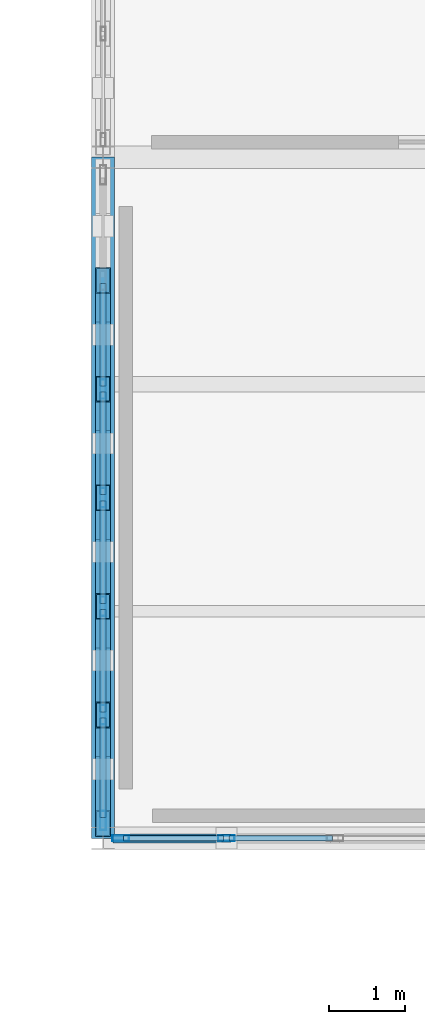
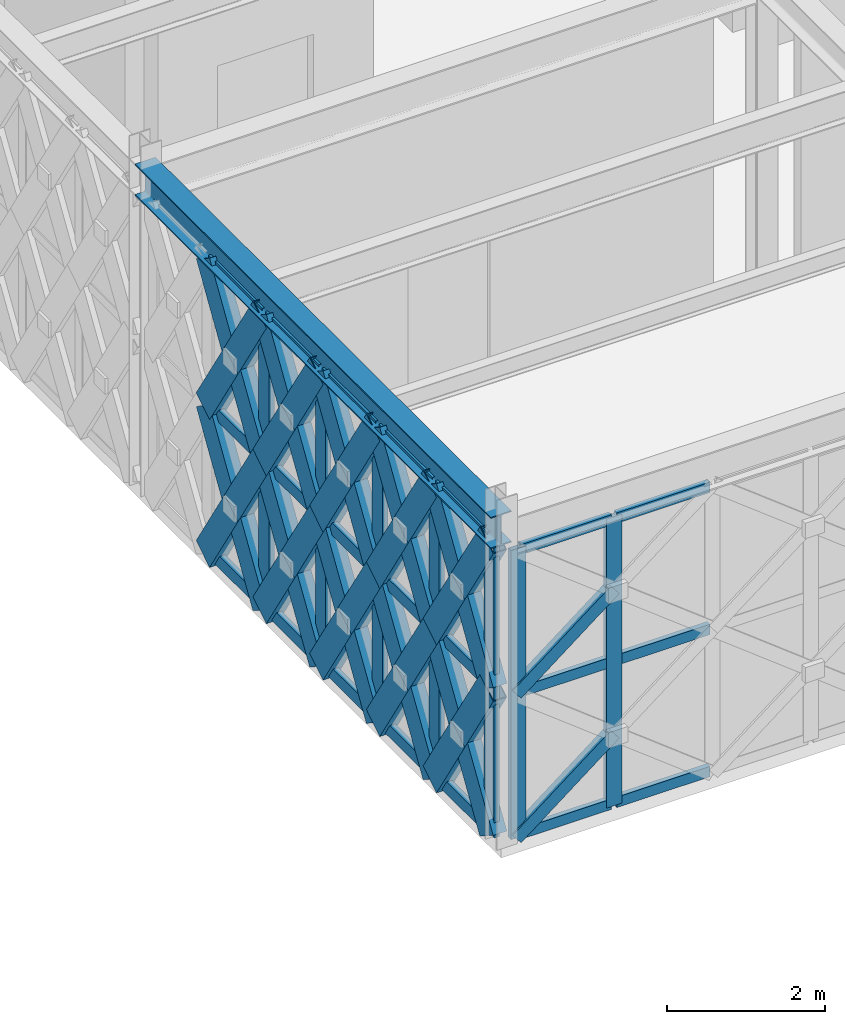
# One storey, part 77 of 155: 60 members, 1 beam, 2 elements without a shape of their own.
"""IFC4 building model written with IfcOpenShell, lengths in metres."""

from ifc_helpers import new_model, si_unit, direction, frame, origin, origin_2d, place, context, subcontext, project, spatial, hollow_rectangle, i_section, extrude, material, material_profile, profile_set, type_object, element, aggregate, save


model = new_model("IFC4")

# Units and contexts
model_context = context("Model", 3, precision=1e-05, world=origin(), true_north=direction((0.0, 1.0)))
body_context = subcontext(model_context, "Body", "Model", "MODEL_VIEW")
ifc_project = project(units=[si_unit("LENGTHUNIT", "METRE"), si_unit("AREAUNIT", "SQUARE_METRE"), si_unit("VOLUMEUNIT", "CUBIC_METRE"), si_unit("PLANEANGLEUNIT", "RADIAN"), si_unit("MASSUNIT", "GRAM", prefix="KILO")], contexts=[model_context])

# Site, building, storey
site_placement = place(None, origin())
site = spatial("IfcSite", under=ifc_project, at=site_placement, CompositionType="ELEMENT")
building_placement = place(site_placement, origin())
building = spatial("IfcBuilding", under=site, at=building_placement, Name="Haizhuo Lancet Aquarium", CompositionType="ELEMENT")
storey_placement = place(building_placement, frame((0.0, 0.0, 10.800048828125)))
storey = spatial("IfcBuildingStorey", under=building, at=storey_placement, Name="L02", CompositionType="ELEMENT", Elevation=10.800048828125)

# Beam
ifc_material_1 = material(Name="Steel S355", Category="steel")
ifc_material_profile_1 = material_profile(ifc_material_1, i_section(OverallWidth=0.300048828125, OverallDepth=0.488037109375, WebThickness=0.010986328125, FlangeThickness=0.01806640625, FilletRadius=0.02392578125, at=origin_2d()), Name="HM 488x300x11x18")
ifc_profile_set_1 = profile_set([ifc_material_profile_1], Name="Steel S355")
beam_type = type_object("IfcBeamType", Name="BM-ST-HM488", PredefinedType="BEAM", material=ifc_profile_set_1)
beam_placement = place(storey_placement, frame((36.0, 9.0, 4.805908203125), z_axis=(0.0, 1.0, 0.0), x_axis=(-1.0, 0.0, 0.0)))
element("IfcBeam", 1, at=beam_placement, inside=storey, type_object=beam_type, Name="L02 V7 primary girder BM-L02-V7-001", PredefinedType="BEAM", context=body_context, shape_type="SweptSolid", body=[
    extrude(i_section(OverallWidth=0.300048828125, OverallDepth=0.488037109375, WebThickness=0.010986328125, FlangeThickness=0.01806640625, FilletRadius=0.02392578125, at=origin_2d()), origin(), (0.0, 0.0, 1.0), 9.0),
])

# Curtain wall, members
ifc_material_2 = material(Name="Aluminium 6063-T6", Category="aluminium")
curtain_wall_type_1 = type_object("IfcCurtainWallType", Name="CWO-8610x4460", PredefinedType="NOTDEFINED", material=ifc_material_2)
curtain_wall_1_placement = place(storey_placement, origin())
curtain_wall_1 = element("IfcCurtainWall", 2, at=curtain_wall_1_placement, inside=storey, type_object=curtain_wall_type_1, Name="L02 curtain wall CW-V7-L02-308", PredefinedType="NOTDEFINED")
ifc_material_profile_2 = material_profile(ifc_material_2, hollow_rectangle(XDim=0.074951171875, YDim=0.219970703125, WallThickness=0.0048828125, at=origin_2d()), Name="ALU-M 75x220x5")
ifc_profile_set_2 = profile_set([ifc_material_profile_2], Name="Aluminium 6063-T6")
member_type_1 = type_object("IfcMemberType", Name="CW-MUL-2", PredefinedType="MULLION", material=ifc_profile_set_2)
member_1_placement = place(storey_placement, frame((37.6298828125, 9.0, 0.0), z_axis=(0.0, 0.0, 1.0), x_axis=(0.0, -1.0, 0.0)))
member_1 = element("IfcMember", 3, at=member_1_placement, type_object=member_type_1, Name="CWO-86x44 mullion 6", PredefinedType="MULLION", context=body_context, shape_type="SweptSolid", body=[
    extrude(hollow_rectangle(XDim=0.074951171875, YDim=0.219970703125, WallThickness=0.0048828125, at=origin_2d()), origin(), (0.0, 0.0, 1.0), 4.4619140625),
])
member_2_placement = place(storey_placement, frame((36.23291015625, 9.0, 0.0), z_axis=(0.0, 0.0, 1.0), x_axis=(0.0, -1.0, 0.0)))
member_2 = element("IfcMember", 4, at=member_2_placement, type_object=member_type_1, Name="CWO-86x44 mullion 7", PredefinedType="MULLION", context=body_context, shape_type="SweptSolid", body=[
    extrude(hollow_rectangle(XDim=0.074951171875, YDim=0.219970703125, WallThickness=0.0048828125, at=origin_2d()), origin(), (0.0, 0.0, 1.0), 4.4619140625),
])

curtain_wall_type_2 = type_object("IfcCurtainWallType", Name="CWD-8610x4560", PredefinedType="NOTDEFINED", material=ifc_material_2)
curtain_wall_2_placement = place(storey_placement, origin())
curtain_wall_2 = element("IfcCurtainWall", 5, at=curtain_wall_2_placement, inside=storey, type_object=curtain_wall_type_2, Name="L02 curtain wall CW-V7-L02-309", PredefinedType="NOTDEFINED")
ifc_material_profile_3 = material_profile(ifc_material_2, hollow_rectangle(XDim=0.080078125, YDim=0.260009765625, WallThickness=0.0048828125, at=origin_2d()), Name="ALU-M 80x260x5")
ifc_profile_set_3 = profile_set([ifc_material_profile_3], Name="Aluminium 6063-T6")
member_type_2 = type_object("IfcMemberType", Name="CW-MUL-3", PredefinedType="MULLION", material=ifc_profile_set_3)
member_3_placement = place(storey_placement, frame((36.0, 9.235107421875, 0.0), z_axis=(0.0, 0.0, 1.0), x_axis=(-1.0, 0.0, 0.0)))
member_3 = element("IfcMember", 6, at=member_3_placement, type_object=member_type_2, Name="CWD-86x45 mullion 1", PredefinedType="MULLION", context=body_context, shape_type="SweptSolid", body=[
    extrude(hollow_rectangle(XDim=0.080078125, YDim=0.260009765625, WallThickness=0.0048828125, at=origin_2d()), origin(), (0.0, 0.0, 1.0), 4.56201171875),
])
member_4_placement = place(storey_placement, frame((36.0, 10.6298828125, 0.0), z_axis=(0.0, 0.0, 1.0), x_axis=(-1.0, 0.0, 0.0)))
member_4 = element("IfcMember", 7, at=member_4_placement, type_object=member_type_2, Name="CWD-86x45 mullion 2", PredefinedType="MULLION", context=body_context, shape_type="SweptSolid", body=[
    extrude(hollow_rectangle(XDim=0.080078125, YDim=0.260009765625, WallThickness=0.0048828125, at=origin_2d()), origin(), (0.0, 0.0, 1.0), 4.56201171875),
])
member_5_placement = place(storey_placement, frame((36.0, 12.06494140625, 0.0), z_axis=(0.0, 0.0, 1.0), x_axis=(-1.0, 0.0, 0.0)))
member_5 = element("IfcMember", 8, at=member_5_placement, type_object=member_type_2, Name="CWD-86x45 mullion 3", PredefinedType="MULLION", context=body_context, shape_type="SweptSolid", body=[
    extrude(hollow_rectangle(XDim=0.080078125, YDim=0.260009765625, WallThickness=0.0048828125, at=origin_2d()), origin(), (0.0, 0.0, 1.0), 4.56201171875),
])
member_6_placement = place(storey_placement, frame((36.0, 13.5, 0.0), z_axis=(0.0, 0.0, 1.0), x_axis=(-1.0, 0.0, 0.0)))
member_6 = element("IfcMember", 9, at=member_6_placement, type_object=member_type_2, Name="CWD-86x45 mullion 4", PredefinedType="MULLION", context=body_context, shape_type="SweptSolid", body=[
    extrude(hollow_rectangle(XDim=0.080078125, YDim=0.260009765625, WallThickness=0.0048828125, at=origin_2d()), origin(), (0.0, 0.0, 1.0), 4.56201171875),
])
member_7_placement = place(storey_placement, frame((36.0, 14.93505859375, 0.0), z_axis=(0.0, 0.0, 1.0), x_axis=(-1.0, 0.0, 0.0)))
member_7 = element("IfcMember", 10, at=member_7_placement, type_object=member_type_2, Name="CWD-86x45 mullion 5", PredefinedType="MULLION", context=body_context, shape_type="SweptSolid", body=[
    extrude(hollow_rectangle(XDim=0.080078125, YDim=0.260009765625, WallThickness=0.0048828125, at=origin_2d()), origin(), (0.0, 0.0, 1.0), 4.56201171875),
])

# Member
ifc_material_profile_4 = material_profile(ifc_material_2, hollow_rectangle(XDim=0.074951171875, YDim=0.159912109375, WallThickness=0.00390625, at=origin_2d()), Name="ALU-T 75x160x4")
ifc_profile_set_4 = profile_set([ifc_material_profile_4], Name="Aluminium 6063-T6")
member_type_3 = type_object("IfcMemberType", Name="CW-TRN-2", PredefinedType="NOTDEFINED", material=ifc_profile_set_4)
member_8_placement = place(storey_placement, frame((39.028076171875, 9.0, 0.037841796875), z_axis=(-1.0, 0.0, 0.0), x_axis=(0.0, -1.0, 0.0)))
member_8 = element("IfcMember", 11, at=member_8_placement, type_object=member_type_3, Name="CWO-86x44 transom 5.1", ObjectType="TRANSOM", PredefinedType="USERDEFINED", context=body_context, shape_type="SweptSolid", body=[
    extrude(hollow_rectangle(XDim=0.074951171875, YDim=0.159912109375, WallThickness=0.00390625, at=origin_2d()), origin(), (0.0, 0.0, 1.0), 1.360107421875),
])

member_9_placement = place(storey_placement, frame((39.028076171875, 9.0, 2.23095703125), z_axis=(-1.0, 0.0, 0.0), x_axis=(0.0, -1.0, 0.0)))
member_9 = element("IfcMember", 12, at=member_9_placement, type_object=member_type_3, Name="CWO-86x44 transom 5.2", ObjectType="TRANSOM", PredefinedType="USERDEFINED", context=body_context, shape_type="SweptSolid", body=[
    extrude(hollow_rectangle(XDim=0.074951171875, YDim=0.159912109375, WallThickness=0.00390625, at=origin_2d()), origin(), (0.0, 0.0, 1.0), 1.360107421875),
])

member_10_placement = place(storey_placement, frame((39.028076171875, 9.0, 4.425048828125), z_axis=(-1.0, 0.0, 0.0), x_axis=(0.0, -1.0, 0.0)))
member_10 = element("IfcMember", 13, at=member_10_placement, type_object=member_type_3, Name="CWO-86x44 transom 5.3", ObjectType="TRANSOM", PredefinedType="USERDEFINED", context=body_context, shape_type="SweptSolid", body=[
    extrude(hollow_rectangle(XDim=0.074951171875, YDim=0.159912109375, WallThickness=0.00390625, at=origin_2d()), origin(), (0.0, 0.0, 1.0), 1.360107421875),
])

member_11_placement = place(storey_placement, frame((37.593017578125, 9.0, 0.037841796875), z_axis=(-1.0, 0.0, 0.0), x_axis=(0.0, -1.0, 0.0)))
member_11 = element("IfcMember", 14, at=member_11_placement, type_object=member_type_3, Name="CWO-86x44 transom 6.1", ObjectType="TRANSOM", PredefinedType="USERDEFINED", context=body_context, shape_type="SweptSolid", body=[
    extrude(hollow_rectangle(XDim=0.074951171875, YDim=0.159912109375, WallThickness=0.00390625, at=origin_2d()), origin(), (0.0, 0.0, 1.0), 1.322998046875),
])

member_12_placement = place(storey_placement, frame((37.593017578125, 9.0, 2.23095703125), z_axis=(-1.0, 0.0, 0.0), x_axis=(0.0, -1.0, 0.0)))
member_12 = element("IfcMember", 15, at=member_12_placement, type_object=member_type_3, Name="CWO-86x44 transom 6.2", ObjectType="TRANSOM", PredefinedType="USERDEFINED", context=body_context, shape_type="SweptSolid", body=[
    extrude(hollow_rectangle(XDim=0.074951171875, YDim=0.159912109375, WallThickness=0.00390625, at=origin_2d()), origin(), (0.0, 0.0, 1.0), 1.322998046875),
])

member_13_placement = place(storey_placement, frame((37.593017578125, 9.0, 4.425048828125), z_axis=(-1.0, 0.0, 0.0), x_axis=(0.0, -1.0, 0.0)))
member_13 = element("IfcMember", 16, at=member_13_placement, type_object=member_type_3, Name="CWO-86x44 transom 6.3", ObjectType="TRANSOM", PredefinedType="USERDEFINED", context=body_context, shape_type="SweptSolid", body=[
    extrude(hollow_rectangle(XDim=0.074951171875, YDim=0.159912109375, WallThickness=0.00390625, at=origin_2d()), origin(), (0.0, 0.0, 1.0), 1.322998046875),
])

aggregate(curtain_wall_1, [member_1, member_2, member_8, member_9, member_10, member_11, member_12, member_13])

ifc_material_profile_5 = material_profile(ifc_material_2, hollow_rectangle(XDim=0.080078125, YDim=0.18994140625, WallThickness=0.0048828125, at=origin_2d()), Name="ALU-T 80x190x5")
ifc_profile_set_5 = profile_set([ifc_material_profile_5], Name="Aluminium 6063-T6")
member_type_4 = type_object("IfcMemberType", Name="CW-TRN-3", PredefinedType="NOTDEFINED", material=ifc_profile_set_5)
member_14_placement = place(storey_placement, frame((36.0, 9.27490234375, 0.0400390625), z_axis=(0.0, 1.0, 0.0), x_axis=(-1.0, 0.0, 0.0)))
member_14 = element("IfcMember", 17, at=member_14_placement, type_object=member_type_4, Name="CWD-86x45 transom 1.1", ObjectType="TRANSOM", PredefinedType="USERDEFINED", context=body_context, shape_type="SweptSolid", body=[
    extrude(hollow_rectangle(XDim=0.080078125, YDim=0.18994140625, WallThickness=0.0048828125, at=origin_2d()), origin(), (0.0, 0.0, 1.0), 1.315185546875),
])

member_15_placement = place(storey_placement, frame((36.0, 9.27490234375, 2.281005859375), z_axis=(0.0, 1.0, 0.0), x_axis=(-1.0, 0.0, 0.0)))
member_15 = element("IfcMember", 18, at=member_15_placement, type_object=member_type_4, Name="CWD-86x45 transom 1.2", ObjectType="TRANSOM", PredefinedType="USERDEFINED", context=body_context, shape_type="SweptSolid", body=[
    extrude(hollow_rectangle(XDim=0.080078125, YDim=0.18994140625, WallThickness=0.0048828125, at=origin_2d()), origin(), (0.0, 0.0, 1.0), 1.315185546875),
])

member_16_placement = place(storey_placement, frame((36.0, 9.27490234375, 4.52197265625), z_axis=(0.0, 1.0, 0.0), x_axis=(-1.0, 0.0, 0.0)))
member_16 = element("IfcMember", 19, at=member_16_placement, type_object=member_type_4, Name="CWD-86x45 transom 1.3", ObjectType="TRANSOM", PredefinedType="USERDEFINED", context=body_context, shape_type="SweptSolid", body=[
    extrude(hollow_rectangle(XDim=0.080078125, YDim=0.18994140625, WallThickness=0.0048828125, at=origin_2d()), origin(), (0.0, 0.0, 1.0), 1.315185546875),
])

member_17_placement = place(storey_placement, frame((36.0, 10.669921875, 0.0400390625), z_axis=(0.0, 1.0, 0.0), x_axis=(-1.0, 0.0, 0.0)))
member_17 = element("IfcMember", 20, at=member_17_placement, type_object=member_type_4, Name="CWD-86x45 transom 2.1", ObjectType="TRANSOM", PredefinedType="USERDEFINED", context=body_context, shape_type="SweptSolid", body=[
    extrude(hollow_rectangle(XDim=0.080078125, YDim=0.18994140625, WallThickness=0.0048828125, at=origin_2d()), origin(), (0.0, 0.0, 1.0), 1.35498046875),
])

member_18_placement = place(storey_placement, frame((36.0, 10.669921875, 2.281005859375), z_axis=(0.0, 1.0, 0.0), x_axis=(-1.0, 0.0, 0.0)))
member_18 = element("IfcMember", 21, at=member_18_placement, type_object=member_type_4, Name="CWD-86x45 transom 2.2", ObjectType="TRANSOM", PredefinedType="USERDEFINED", context=body_context, shape_type="SweptSolid", body=[
    extrude(hollow_rectangle(XDim=0.080078125, YDim=0.18994140625, WallThickness=0.0048828125, at=origin_2d()), origin(), (0.0, 0.0, 1.0), 1.35498046875),
])

member_19_placement = place(storey_placement, frame((36.0, 10.669921875, 4.52197265625), z_axis=(0.0, 1.0, 0.0), x_axis=(-1.0, 0.0, 0.0)))
member_19 = element("IfcMember", 22, at=member_19_placement, type_object=member_type_4, Name="CWD-86x45 transom 2.3", ObjectType="TRANSOM", PredefinedType="USERDEFINED", context=body_context, shape_type="SweptSolid", body=[
    extrude(hollow_rectangle(XDim=0.080078125, YDim=0.18994140625, WallThickness=0.0048828125, at=origin_2d()), origin(), (0.0, 0.0, 1.0), 1.35498046875),
])

member_20_placement = place(storey_placement, frame((36.0, 12.10498046875, 0.0400390625), z_axis=(0.0, 1.0, 0.0), x_axis=(-1.0, 0.0, 0.0)))
member_20 = element("IfcMember", 23, at=member_20_placement, type_object=member_type_4, Name="CWD-86x45 transom 3.1", ObjectType="TRANSOM", PredefinedType="USERDEFINED", context=body_context, shape_type="SweptSolid", body=[
    extrude(hollow_rectangle(XDim=0.080078125, YDim=0.18994140625, WallThickness=0.0048828125, at=origin_2d()), origin(), (0.0, 0.0, 1.0), 1.35498046875),
])

member_21_placement = place(storey_placement, frame((36.0, 12.10498046875, 2.281005859375), z_axis=(0.0, 1.0, 0.0), x_axis=(-1.0, 0.0, 0.0)))
member_21 = element("IfcMember", 24, at=member_21_placement, type_object=member_type_4, Name="CWD-86x45 transom 3.2", ObjectType="TRANSOM", PredefinedType="USERDEFINED", context=body_context, shape_type="SweptSolid", body=[
    extrude(hollow_rectangle(XDim=0.080078125, YDim=0.18994140625, WallThickness=0.0048828125, at=origin_2d()), origin(), (0.0, 0.0, 1.0), 1.35498046875),
])

member_22_placement = place(storey_placement, frame((36.0, 12.10498046875, 4.52197265625), z_axis=(0.0, 1.0, 0.0), x_axis=(-1.0, 0.0, 0.0)))
member_22 = element("IfcMember", 25, at=member_22_placement, type_object=member_type_4, Name="CWD-86x45 transom 3.3", ObjectType="TRANSOM", PredefinedType="USERDEFINED", context=body_context, shape_type="SweptSolid", body=[
    extrude(hollow_rectangle(XDim=0.080078125, YDim=0.18994140625, WallThickness=0.0048828125, at=origin_2d()), origin(), (0.0, 0.0, 1.0), 1.35498046875),
])

member_23_placement = place(storey_placement, frame((36.0, 13.5400390625, 0.0400390625), z_axis=(0.0, 1.0, 0.0), x_axis=(-1.0, 0.0, 0.0)))
member_23 = element("IfcMember", 26, at=member_23_placement, type_object=member_type_4, Name="CWD-86x45 transom 4.1", ObjectType="TRANSOM", PredefinedType="USERDEFINED", context=body_context, shape_type="SweptSolid", body=[
    extrude(hollow_rectangle(XDim=0.080078125, YDim=0.18994140625, WallThickness=0.0048828125, at=origin_2d()), origin(), (0.0, 0.0, 1.0), 1.35498046875),
])

member_24_placement = place(storey_placement, frame((36.0, 13.5400390625, 2.281005859375), z_axis=(0.0, 1.0, 0.0), x_axis=(-1.0, 0.0, 0.0)))
member_24 = element("IfcMember", 27, at=member_24_placement, type_object=member_type_4, Name="CWD-86x45 transom 4.2", ObjectType="TRANSOM", PredefinedType="USERDEFINED", context=body_context, shape_type="SweptSolid", body=[
    extrude(hollow_rectangle(XDim=0.080078125, YDim=0.18994140625, WallThickness=0.0048828125, at=origin_2d()), origin(), (0.0, 0.0, 1.0), 1.35498046875),
])

member_25_placement = place(storey_placement, frame((36.0, 13.5400390625, 4.52197265625), z_axis=(0.0, 1.0, 0.0), x_axis=(-1.0, 0.0, 0.0)))
member_25 = element("IfcMember", 28, at=member_25_placement, type_object=member_type_4, Name="CWD-86x45 transom 4.3", ObjectType="TRANSOM", PredefinedType="USERDEFINED", context=body_context, shape_type="SweptSolid", body=[
    extrude(hollow_rectangle(XDim=0.080078125, YDim=0.18994140625, WallThickness=0.0048828125, at=origin_2d()), origin(), (0.0, 0.0, 1.0), 1.35498046875),
])

member_26_placement = place(storey_placement, frame((36.0, 14.97509765625, 0.0400390625), z_axis=(0.0, 1.0, 0.0), x_axis=(-1.0, 0.0, 0.0)))
member_26 = element("IfcMember", 29, at=member_26_placement, type_object=member_type_4, Name="CWD-86x45 transom 5.1", ObjectType="TRANSOM", PredefinedType="USERDEFINED", context=body_context, shape_type="SweptSolid", body=[
    extrude(hollow_rectangle(XDim=0.080078125, YDim=0.18994140625, WallThickness=0.0048828125, at=origin_2d()), origin(), (0.0, 0.0, 1.0), 1.35498046875),
])

member_27_placement = place(storey_placement, frame((36.0, 14.97509765625, 2.281005859375), z_axis=(0.0, 1.0, 0.0), x_axis=(-1.0, 0.0, 0.0)))
member_27 = element("IfcMember", 30, at=member_27_placement, type_object=member_type_4, Name="CWD-86x45 transom 5.2", ObjectType="TRANSOM", PredefinedType="USERDEFINED", context=body_context, shape_type="SweptSolid", body=[
    extrude(hollow_rectangle(XDim=0.080078125, YDim=0.18994140625, WallThickness=0.0048828125, at=origin_2d()), origin(), (0.0, 0.0, 1.0), 1.35498046875),
])

member_28_placement = place(storey_placement, frame((36.0, 14.97509765625, 4.52197265625), z_axis=(0.0, 1.0, 0.0), x_axis=(-1.0, 0.0, 0.0)))
member_28 = element("IfcMember", 31, at=member_28_placement, type_object=member_type_4, Name="CWD-86x45 transom 5.3", ObjectType="TRANSOM", PredefinedType="USERDEFINED", context=body_context, shape_type="SweptSolid", body=[
    extrude(hollow_rectangle(XDim=0.080078125, YDim=0.18994140625, WallThickness=0.0048828125, at=origin_2d()), origin(), (0.0, 0.0, 1.0), 1.35498046875),
])

aggregate(curtain_wall_2, [member_3, member_4, member_5, member_6, member_7, member_14, member_15, member_16, member_17, member_18, member_19, member_20, member_21, member_22, member_23, member_24, member_25, member_26, member_27, member_28])

# Members
ifc_material_profile_6 = material_profile(ifc_material_1, hollow_rectangle(XDim=0.1201171875, YDim=0.199951171875, WallThickness=0.008056640625, at=origin_2d()), Name="RHS 120x200x8")
ifc_profile_set_6 = profile_set([ifc_material_profile_6], Name="Steel S355")
member_type_5 = type_object("IfcMemberType", Name="MEM-LB-RHS120x200", PredefinedType="BRACE", material=ifc_profile_set_6)
member_29_placement = place(storey_placement, frame((36.195068359375, 9.0, 0.0), z_axis=(0.789352217376, 0.0, 0.613940613515), x_axis=(0.0, 1.0, 0.0)))
element("IfcMember", 32, at=member_29_placement, inside=storey, type_object=member_type_5, Name="Gothic lancet split diagonal brace CW-V7-L02-308 5B1", PredefinedType="BRACE", context=body_context, shape_type="SweptSolid", body=[
    extrude(hollow_rectangle(XDim=0.1201171875, YDim=0.199951171875, WallThickness=0.008056640625, at=origin_2d()), origin(), (0.0, 0.0, 1.0), 1.817626953125),
])
member_30_placement = place(storey_placement, frame((36.195068359375, 9.0, 2.23095703125), z_axis=(0.789612591073, 0.0, 0.613605700771), x_axis=(0.0, 1.0, 0.0)))
element("IfcMember", 33, at=member_30_placement, inside=storey, type_object=member_type_5, Name="Gothic lancet split diagonal brace CW-V7-L02-308 6B1", PredefinedType="BRACE", context=body_context, shape_type="SweptSolid", body=[
    extrude(hollow_rectangle(XDim=0.1201171875, YDim=0.199951171875, WallThickness=0.008056640625, at=origin_2d()), origin(), (0.0, 0.0, 1.0), 1.817138671875),
])
ifc_material_profile_7 = material_profile(ifc_material_1, hollow_rectangle(XDim=0.199951171875, YDim=0.39990234375, WallThickness=0.011962890625, at=origin_2d()), Name="RHS 200x400x12")
ifc_profile_set_7 = profile_set([ifc_material_profile_7], Name="Steel S355")
member_type_6 = type_object("IfcMemberType", Name="MEM-LB-RHS200x400", PredefinedType="BRACE", material=ifc_profile_set_7)
member_31_placement = place(storey_placement, frame((36.0, 9.195068359375, 0.0), z_axis=(0.0, 0.532447977761, 0.846462728641), x_axis=(-1.0, 0.0, 0.0)))
element("IfcMember", 34, at=member_31_placement, inside=storey, type_object=member_type_6, Name="Gothic lancet continuous diagonal brace CW-V7-L02-309 1A", PredefinedType="BRACE", context=body_context, shape_type="SweptSolid", body=[
    extrude(hollow_rectangle(XDim=0.199951171875, YDim=0.39990234375, WallThickness=0.011962890625, at=origin_2d()), origin(), (0.0, 0.0, 1.0), 2.69482421875),
])
for number, where, z_axis, x_axis, name in (
    (35, (36.0, 10.6298828125, 0.0), (0.0, -0.532000831826, 0.846743830764), (1.0, 0.0, 0.0), "Gothic lancet split diagonal brace CW-V7-L02-309 1B1"),
    (36, (36.0, 9.9130859375, 1.140869140625), (0.0, -0.532894965217, 0.846181396656), (1.0, 0.0, 0.0), "Gothic lancet split diagonal brace CW-V7-L02-309 1B2"),
):
    element("IfcMember", number, at=place(storey_placement, frame(where, z_axis=z_axis, x_axis=x_axis)), inside=storey, type_object=member_type_6, Name=name, PredefinedType="BRACE", context=body_context, shape_type="SweptSolid", body=[
        extrude(hollow_rectangle(XDim=0.199951171875, YDim=0.39990234375, WallThickness=0.011962890625, at=origin_2d()), origin(), (0.0, 0.0, 1.0), 1.347412109375),
    ])
member_32_placement = place(storey_placement, frame((36.0, 9.195068359375, 2.281005859375), z_axis=(0.0, 0.532447977761, 0.846462728641), x_axis=(-1.0, 0.0, 0.0)))
element("IfcMember", 37, at=member_32_placement, inside=storey, type_object=member_type_6, Name="Gothic lancet continuous diagonal brace CW-V7-L02-309 2A", PredefinedType="BRACE", context=body_context, shape_type="SweptSolid", body=[
    extrude(hollow_rectangle(XDim=0.199951171875, YDim=0.39990234375, WallThickness=0.011962890625, at=origin_2d()), origin(), (0.0, 0.0, 1.0), 2.69482421875),
])
member_33_placement = place(storey_placement, frame((36.0, 10.6298828125, 2.281005859375), z_axis=(0.0, -0.532327490763, 0.846538506258), x_axis=(1.0, 0.0, 0.0)))
element("IfcMember", 38, at=member_33_placement, inside=storey, type_object=member_type_6, Name="Gothic lancet split diagonal brace CW-V7-L02-309 2B1", PredefinedType="BRACE", context=body_context, shape_type="SweptSolid", body=[
    extrude(hollow_rectangle(XDim=0.199951171875, YDim=0.39990234375, WallThickness=0.011962890625, at=origin_2d()), origin(), (0.0, 0.0, 1.0), 1.346435546875),
])
member_34_placement = place(storey_placement, frame((36.0, 9.9130859375, 3.4208984375), z_axis=(0.0, -0.532568303565, 0.846387028515), x_axis=(1.0, 0.0, 0.0)))
element("IfcMember", 39, at=member_34_placement, inside=storey, type_object=member_type_6, Name="Gothic lancet split diagonal brace CW-V7-L02-309 2B2", PredefinedType="BRACE", context=body_context, shape_type="SweptSolid", body=[
    extrude(hollow_rectangle(XDim=0.199951171875, YDim=0.39990234375, WallThickness=0.011962890625, at=origin_2d()), origin(), (0.0, 0.0, 1.0), 1.34814453125),
])
member_35_placement = place(storey_placement, frame((36.0, 10.6298828125, 0.0), z_axis=(0.0, 0.532512886885, 0.846421895571), x_axis=(-1.0, 0.0, 0.0)))
element("IfcMember", 40, at=member_35_placement, inside=storey, type_object=member_type_6, Name="Gothic lancet continuous diagonal brace CW-V7-L02-309 3A", PredefinedType="BRACE", context=body_context, shape_type="SweptSolid", body=[
    extrude(hollow_rectangle(XDim=0.199951171875, YDim=0.39990234375, WallThickness=0.011962890625, at=origin_2d()), origin(), (0.0, 0.0, 1.0), 2.69482421875),
])
for number, where, z_axis, x_axis, name in (
    (41, (36.0, 12.06494140625, 0.0), (0.0, -0.532130728354, 0.846662204153), (1.0, 0.0, 0.0), "Gothic lancet split diagonal brace CW-V7-L02-309 3B1"),
    (42, (36.0, 11.347900390625, 1.140869140625), (0.0, -0.532894965217, 0.846181396656), (1.0, 0.0, 0.0), "Gothic lancet split diagonal brace CW-V7-L02-309 3B2"),
):
    element("IfcMember", number, at=place(storey_placement, frame(where, z_axis=z_axis, x_axis=x_axis)), inside=storey, type_object=member_type_6, Name=name, PredefinedType="BRACE", context=body_context, shape_type="SweptSolid", body=[
        extrude(hollow_rectangle(XDim=0.199951171875, YDim=0.39990234375, WallThickness=0.011962890625, at=origin_2d()), origin(), (0.0, 0.0, 1.0), 1.347412109375),
    ])
member_36_placement = place(storey_placement, frame((36.0, 10.6298828125, 2.281005859375), z_axis=(0.0, 0.532512886885, 0.846421895571), x_axis=(-1.0, 0.0, 0.0)))
element("IfcMember", 43, at=member_36_placement, inside=storey, type_object=member_type_6, Name="Gothic lancet continuous diagonal brace CW-V7-L02-309 4A", PredefinedType="BRACE", context=body_context, shape_type="SweptSolid", body=[
    extrude(hollow_rectangle(XDim=0.199951171875, YDim=0.39990234375, WallThickness=0.011962890625, at=origin_2d()), origin(), (0.0, 0.0, 1.0), 2.69482421875),
])
member_37_placement = place(storey_placement, frame((36.0, 12.06494140625, 2.281005859375), z_axis=(0.0, -0.532457404, 0.846456799208), x_axis=(1.0, 0.0, 0.0)))
element("IfcMember", 44, at=member_37_placement, inside=storey, type_object=member_type_6, Name="Gothic lancet split diagonal brace CW-V7-L02-309 4B1", PredefinedType="BRACE", context=body_context, shape_type="SweptSolid", body=[
    extrude(hollow_rectangle(XDim=0.199951171875, YDim=0.39990234375, WallThickness=0.011962890625, at=origin_2d()), origin(), (0.0, 0.0, 1.0), 1.3466796875),
])
member_38_placement = place(storey_placement, frame((36.0, 11.347900390625, 3.4208984375), z_axis=(0.0, -0.532568303565, 0.846387028515), x_axis=(1.0, 0.0, 0.0)))
element("IfcMember", 45, at=member_38_placement, inside=storey, type_object=member_type_6, Name="Gothic lancet split diagonal brace CW-V7-L02-309 4B2", PredefinedType="BRACE", context=body_context, shape_type="SweptSolid", body=[
    extrude(hollow_rectangle(XDim=0.199951171875, YDim=0.39990234375, WallThickness=0.011962890625, at=origin_2d()), origin(), (0.0, 0.0, 1.0), 1.34814453125),
])
member_39_placement = place(storey_placement, frame((36.0, 12.06494140625, 0.0), z_axis=(0.0, 0.532512886885, 0.846421895571), x_axis=(-1.0, 0.0, 0.0)))
element("IfcMember", 46, at=member_39_placement, inside=storey, type_object=member_type_6, Name="Gothic lancet continuous diagonal brace CW-V7-L02-309 5A", PredefinedType="BRACE", context=body_context, shape_type="SweptSolid", body=[
    extrude(hollow_rectangle(XDim=0.199951171875, YDim=0.39990234375, WallThickness=0.011962890625, at=origin_2d()), origin(), (0.0, 0.0, 1.0), 2.69482421875),
])
member_40_placement = place(storey_placement, frame((36.0, 13.5, 0.0), z_axis=(0.0, -0.532649938865, 0.846335656006), x_axis=(1.0, 0.0, 0.0)))
element("IfcMember", 47, at=member_40_placement, inside=storey, type_object=member_type_6, Name="Gothic lancet split diagonal brace CW-V7-L02-309 5B1", PredefinedType="BRACE", context=body_context, shape_type="SweptSolid", body=[
    extrude(hollow_rectangle(XDim=0.199951171875, YDim=0.39990234375, WallThickness=0.011962890625, at=origin_2d()), origin(), (0.0, 0.0, 1.0), 1.347900390625),
])
member_41_placement = place(storey_placement, frame((36.0, 12.781982421875, 1.140869140625), z_axis=(0.0, -0.532375704926, 0.846508185905), x_axis=(1.0, 0.0, 0.0)))
element("IfcMember", 48, at=member_41_placement, inside=storey, type_object=member_type_6, Name="Gothic lancet split diagonal brace CW-V7-L02-309 5B2", PredefinedType="BRACE", context=body_context, shape_type="SweptSolid", body=[
    extrude(hollow_rectangle(XDim=0.199951171875, YDim=0.39990234375, WallThickness=0.011962890625, at=origin_2d()), origin(), (0.0, 0.0, 1.0), 1.346923828125),
])
member_42_placement = place(storey_placement, frame((36.0, 12.06494140625, 2.281005859375), z_axis=(0.0, 0.532512886885, 0.846421895571), x_axis=(-1.0, 0.0, 0.0)))
element("IfcMember", 49, at=member_42_placement, inside=storey, type_object=member_type_6, Name="Gothic lancet continuous diagonal brace CW-V7-L02-309 6A", PredefinedType="BRACE", context=body_context, shape_type="SweptSolid", body=[
    extrude(hollow_rectangle(XDim=0.199951171875, YDim=0.39990234375, WallThickness=0.011962890625, at=origin_2d()), origin(), (0.0, 0.0, 1.0), 2.69482421875),
])
member_43_placement = place(storey_placement, frame((36.0, 13.5, 2.281005859375), z_axis=(0.0, -0.532976680835, 0.846129929554), x_axis=(1.0, 0.0, 0.0)))
element("IfcMember", 50, at=member_43_placement, inside=storey, type_object=member_type_6, Name="Gothic lancet split diagonal brace CW-V7-L02-309 6B1", PredefinedType="BRACE", context=body_context, shape_type="SweptSolid", body=[
    extrude(hollow_rectangle(XDim=0.199951171875, YDim=0.39990234375, WallThickness=0.011962890625, at=origin_2d()), origin(), (0.0, 0.0, 1.0), 1.34716796875),
])
member_44_placement = place(storey_placement, frame((36.0, 12.781982421875, 3.4208984375), z_axis=(0.0, -0.532049109697, 0.846713496332), x_axis=(1.0, 0.0, 0.0)))
element("IfcMember", 51, at=member_44_placement, inside=storey, type_object=member_type_6, Name="Gothic lancet split diagonal brace CW-V7-L02-309 6B2", PredefinedType="BRACE", context=body_context, shape_type="SweptSolid", body=[
    extrude(hollow_rectangle(XDim=0.199951171875, YDim=0.39990234375, WallThickness=0.011962890625, at=origin_2d()), origin(), (0.0, 0.0, 1.0), 1.34765625),
])
member_45_placement = place(storey_placement, frame((36.0, 13.5, 0.0), z_axis=(0.0, 0.532512886885, 0.846421895571), x_axis=(-1.0, 0.0, 0.0)))
element("IfcMember", 52, at=member_45_placement, inside=storey, type_object=member_type_6, Name="Gothic lancet continuous diagonal brace CW-V7-L02-309 7A", PredefinedType="BRACE", context=body_context, shape_type="SweptSolid", body=[
    extrude(hollow_rectangle(XDim=0.199951171875, YDim=0.39990234375, WallThickness=0.011962890625, at=origin_2d()), origin(), (0.0, 0.0, 1.0), 2.69482421875),
])
for number, where, z_axis, x_axis, name in (
    (53, (36.0, 14.93505859375, 0.0), (0.0, -0.532130728354, 0.846662204153), (1.0, 0.0, 0.0), "Gothic lancet split diagonal brace CW-V7-L02-309 7B1"),
    (54, (36.0, 14.218017578125, 1.140869140625), (0.0, -0.532894965217, 0.846181396656), (1.0, 0.0, 0.0), "Gothic lancet split diagonal brace CW-V7-L02-309 7B2"),
):
    element("IfcMember", number, at=place(storey_placement, frame(where, z_axis=z_axis, x_axis=x_axis)), inside=storey, type_object=member_type_6, Name=name, PredefinedType="BRACE", context=body_context, shape_type="SweptSolid", body=[
        extrude(hollow_rectangle(XDim=0.199951171875, YDim=0.39990234375, WallThickness=0.011962890625, at=origin_2d()), origin(), (0.0, 0.0, 1.0), 1.347412109375),
    ])
member_46_placement = place(storey_placement, frame((36.0, 13.5, 2.281005859375), z_axis=(0.0, 0.532512886885, 0.846421895571), x_axis=(-1.0, 0.0, 0.0)))
element("IfcMember", 55, at=member_46_placement, inside=storey, type_object=member_type_6, Name="Gothic lancet continuous diagonal brace CW-V7-L02-309 8A", PredefinedType="BRACE", context=body_context, shape_type="SweptSolid", body=[
    extrude(hollow_rectangle(XDim=0.199951171875, YDim=0.39990234375, WallThickness=0.011962890625, at=origin_2d()), origin(), (0.0, 0.0, 1.0), 2.69482421875),
])
member_47_placement = place(storey_placement, frame((36.0, 14.93505859375, 2.281005859375), z_axis=(0.0, -0.532457404, 0.846456799208), x_axis=(1.0, 0.0, 0.0)))
element("IfcMember", 56, at=member_47_placement, inside=storey, type_object=member_type_6, Name="Gothic lancet split diagonal brace CW-V7-L02-309 8B1", PredefinedType="BRACE", context=body_context, shape_type="SweptSolid", body=[
    extrude(hollow_rectangle(XDim=0.199951171875, YDim=0.39990234375, WallThickness=0.011962890625, at=origin_2d()), origin(), (0.0, 0.0, 1.0), 1.3466796875),
])
member_48_placement = place(storey_placement, frame((36.0, 14.218017578125, 3.4208984375), z_axis=(0.0, -0.532568303565, 0.846387028515), x_axis=(1.0, 0.0, 0.0)))
element("IfcMember", 57, at=member_48_placement, inside=storey, type_object=member_type_6, Name="Gothic lancet split diagonal brace CW-V7-L02-309 8B2", PredefinedType="BRACE", context=body_context, shape_type="SweptSolid", body=[
    extrude(hollow_rectangle(XDim=0.199951171875, YDim=0.39990234375, WallThickness=0.011962890625, at=origin_2d()), origin(), (0.0, 0.0, 1.0), 1.34814453125),
])
member_49_placement = place(storey_placement, frame((36.0, 14.93505859375, 0.0), z_axis=(0.0, 0.532512886885, 0.846421895571), x_axis=(-1.0, 0.0, 0.0)))
element("IfcMember", 58, at=member_49_placement, inside=storey, type_object=member_type_6, Name="Gothic lancet continuous diagonal brace CW-V7-L02-309 9A", PredefinedType="BRACE", context=body_context, shape_type="SweptSolid", body=[
    extrude(hollow_rectangle(XDim=0.199951171875, YDim=0.39990234375, WallThickness=0.011962890625, at=origin_2d()), origin(), (0.0, 0.0, 1.0), 2.69482421875),
])
member_50_placement = place(storey_placement, frame((36.0, 16.3701171875, 0.0), z_axis=(0.0, -0.532649938865, 0.846335656006), x_axis=(1.0, 0.0, 0.0)))
element("IfcMember", 59, at=member_50_placement, inside=storey, type_object=member_type_6, Name="Gothic lancet split diagonal brace CW-V7-L02-309 9B1", PredefinedType="BRACE", context=body_context, shape_type="SweptSolid", body=[
    extrude(hollow_rectangle(XDim=0.199951171875, YDim=0.39990234375, WallThickness=0.011962890625, at=origin_2d()), origin(), (0.0, 0.0, 1.0), 1.347900390625),
])
member_51_placement = place(storey_placement, frame((36.0, 15.652099609375, 1.140869140625), z_axis=(0.0, -0.532375704926, 0.846508185905), x_axis=(1.0, 0.0, 0.0)))
element("IfcMember", 60, at=member_51_placement, inside=storey, type_object=member_type_6, Name="Gothic lancet split diagonal brace CW-V7-L02-309 9B2", PredefinedType="BRACE", context=body_context, shape_type="SweptSolid", body=[
    extrude(hollow_rectangle(XDim=0.199951171875, YDim=0.39990234375, WallThickness=0.011962890625, at=origin_2d()), origin(), (0.0, 0.0, 1.0), 1.346923828125),
])
member_52_placement = place(storey_placement, frame((36.0, 14.93505859375, 2.281005859375), z_axis=(0.0, 0.532512886885, 0.846421895571), x_axis=(-1.0, 0.0, 0.0)))
element("IfcMember", 61, at=member_52_placement, inside=storey, type_object=member_type_6, Name="Gothic lancet continuous diagonal brace CW-V7-L02-309 10A", PredefinedType="BRACE", context=body_context, shape_type="SweptSolid", body=[
    extrude(hollow_rectangle(XDim=0.199951171875, YDim=0.39990234375, WallThickness=0.011962890625, at=origin_2d()), origin(), (0.0, 0.0, 1.0), 2.69482421875),
])
member_53_placement = place(storey_placement, frame((36.0, 16.3701171875, 2.281005859375), z_axis=(0.0, -0.532976680835, 0.846129929554), x_axis=(1.0, 0.0, 0.0)))
element("IfcMember", 62, at=member_53_placement, inside=storey, type_object=member_type_6, Name="Gothic lancet split diagonal brace CW-V7-L02-309 10B1", PredefinedType="BRACE", context=body_context, shape_type="SweptSolid", body=[
    extrude(hollow_rectangle(XDim=0.199951171875, YDim=0.39990234375, WallThickness=0.011962890625, at=origin_2d()), origin(), (0.0, 0.0, 1.0), 1.34716796875),
])
member_54_placement = place(storey_placement, frame((36.0, 15.652099609375, 3.4208984375), z_axis=(0.0, -0.532049109697, 0.846713496332), x_axis=(1.0, 0.0, 0.0)))
element("IfcMember", 63, at=member_54_placement, inside=storey, type_object=member_type_6, Name="Gothic lancet split diagonal brace CW-V7-L02-309 10B2", PredefinedType="BRACE", context=body_context, shape_type="SweptSolid", body=[
    extrude(hollow_rectangle(XDim=0.199951171875, YDim=0.39990234375, WallThickness=0.011962890625, at=origin_2d()), origin(), (0.0, 0.0, 1.0), 1.34765625),
])

save(model, "model.ifc")
